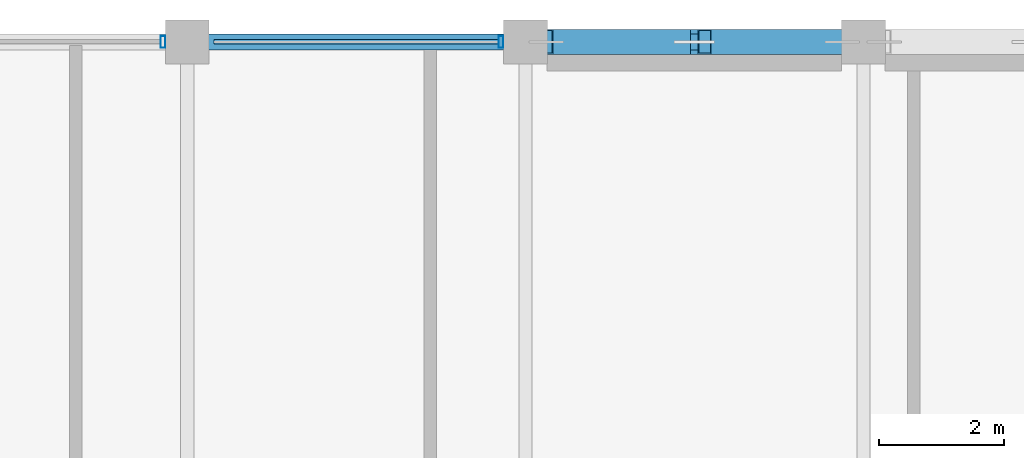
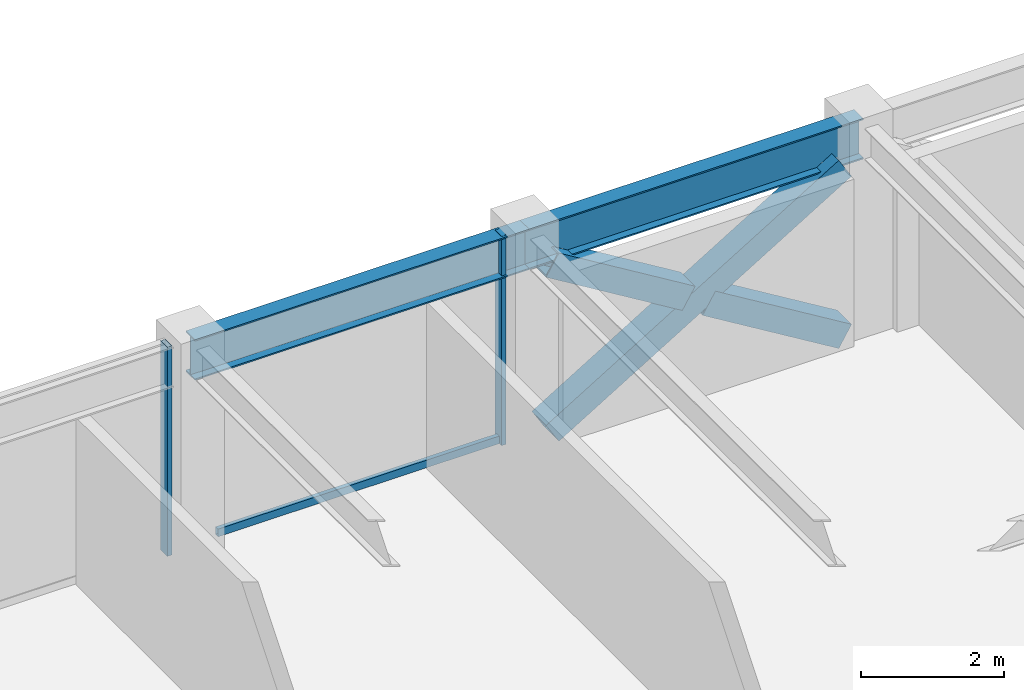
# One storey, part 16 of 31: 6 members, 2 beams, 1 element without a shape of its own.
"""IFC4 building model written with IfcOpenShell, lengths in metres."""

from ifc_helpers import new_model, si_unit, direction, frame, origin, origin_2d, place, context, subcontext, project, spatial, hollow_rectangle, i_section, extrude, material, layer, layer_set, material_profile, profile_set, type_object, element, aggregate, save


model = new_model("IFC4")

# Units and contexts
model_context = context("Model", 3, precision=1e-05, world=origin(), true_north=direction((0.0, 1.0)))
body_context = subcontext(model_context, "Body", "Model", "MODEL_VIEW")
ifc_project = project(units=[si_unit("LENGTHUNIT", "METRE"), si_unit("AREAUNIT", "SQUARE_METRE"), si_unit("VOLUMEUNIT", "CUBIC_METRE"), si_unit("PLANEANGLEUNIT", "RADIAN"), si_unit("MASSUNIT", "GRAM", prefix="KILO")], contexts=[model_context])

# Site, building, storey
site_placement = place(None, origin())
site = spatial("IfcSite", under=ifc_project, at=site_placement, CompositionType="ELEMENT")
building_placement = place(site_placement, origin())
building = spatial("IfcBuilding", under=site, at=building_placement, Name="Surkhivell Harbour Commons", CompositionType="ELEMENT")
storey_placement = place(building_placement, frame((0.0, 0.0, 270.0)))
storey = spatial("IfcBuildingStorey", under=building, at=storey_placement, Name="L70", CompositionType="ELEMENT", Elevation=270.0)

# Beams
ifc_material_1 = material(Name="Steel S355", Category="steel")
ifc_material_profile_1 = material_profile(ifc_material_1, i_section(OverallWidth=0.256103515625, OverallDepth=0.693115234375, WebThickness=0.014404296875, FlangeThickness=0.023681640625, at=origin_2d()), Name="UB686x254x170")
ifc_profile_set_1 = profile_set([ifc_material_profile_1], Name="Steel S355")
beam_type = type_object("IfcBeamType", Name="BM-SPN-686", PredefinedType="SPANDREL", material=ifc_profile_set_1)
beam_1_placement = place(storey_placement, frame((-10.800048828125, 25.89990234375, 3.223388671875), z_axis=(1.0, 0.0, 0.0), x_axis=(0.0, 1.0, 0.0)))
element("IfcBeam", 1, at=beam_1_placement, inside=storey, type_object=beam_type, Name="L70 Tube Spandrel (-10.8,25.9)", PredefinedType="SPANDREL", context=body_context, shape_type="SweptSolid", body=[
    extrude(i_section(OverallWidth=0.256103515625, OverallDepth=0.693115234375, WebThickness=0.014404296875, FlangeThickness=0.023681640625, at=origin_2d()), origin(), (0.0, 0.0, 1.0), 5.400146484375),
])
beam_2_placement = place(storey_placement, frame((-5.39990234375, 25.89990234375, 3.223388671875), z_axis=(1.0, 0.0, 0.0), x_axis=(0.0, 1.0, 0.0)))
element("IfcBeam", 2, at=beam_2_placement, inside=storey, type_object=beam_type, Name="L70 Tube Spandrel (-5.4,25.9)", PredefinedType="SPANDREL", context=body_context, shape_type="SweptSolid", body=[
    extrude(i_section(OverallWidth=0.256103515625, OverallDepth=0.693115234375, WebThickness=0.014404296875, FlangeThickness=0.023681640625, at=origin_2d()), origin(), (0.0, 0.0, 1.0), 5.39990234375),
])

# Curtain wall, members
ifc_material_2 = material(Name="Anodised pale-metal aluminium and insulated glazing", Category="aluminium")
ifc_layer = layer(ifc_material_2, 0.175048828125)
ifc_layer_set = layer_set([ifc_layer], Name="Anodised pale-metal aluminium and insulated glazing")
curtain_wall_type = type_object("IfcCurtainWallType", Name="CW-SYS-Z4", PredefinedType="NOTDEFINED", material=ifc_layer_set)
curtain_wall_placement = place(storey_placement, origin())
curtain_wall = element("IfcCurtainWall", 3, at=curtain_wall_placement, inside=storey, type_object=curtain_wall_type, Name="L70 Curtain Wall CW-L70-E07S2", PredefinedType="NOTDEFINED")
ifc_material_3 = material(Name="Anodised pale-metal aluminium alloy 6063-T6", Category="aluminium")
ifc_material_profile_2 = material_profile(ifc_material_3, hollow_rectangle(XDim=0.074951171875, YDim=0.18994140625, WallThickness=0.00390625, at=origin_2d()), Name="ALU-MULL-75x190")
ifc_profile_set_2 = profile_set([ifc_material_profile_2], Name="Anodised pale-metal aluminium alloy 6063-T6")
member_type_1 = type_object("IfcMemberType", Name="CWM-190", PredefinedType="MULLION", material=ifc_profile_set_2)
member_1_placement = place(storey_placement, frame((-5.78955078125, 25.89990234375, 0.0), z_axis=(0.0, 0.0, 1.0), x_axis=(-1.0, 0.0, 0.0)))
member_1 = element("IfcMember", 4, at=member_1_placement, type_object=member_type_1, Name="CW-Z4 mullion 1", PredefinedType="MULLION", context=body_context, shape_type="SweptSolid", body=[
    extrude(hollow_rectangle(XDim=0.074951171875, YDim=0.18994140625, WallThickness=0.00390625, at=origin_2d()), origin(), (0.0, 0.0, 1.0), 3.570068359375),
])
member_2_placement = place(storey_placement, frame((-11.189453125, 25.89990234375, 0.0), z_axis=(0.0, 0.0, 1.0), x_axis=(-1.0, 0.0, 0.0)))
member_2 = element("IfcMember", 5, at=member_2_placement, type_object=member_type_1, Name="CW-Z4 mullion 2", PredefinedType="MULLION", context=body_context, shape_type="SweptSolid", body=[
    extrude(hollow_rectangle(XDim=0.074951171875, YDim=0.18994140625, WallThickness=0.00390625, at=origin_2d()), origin(), (0.0, 0.0, 1.0), 3.570068359375),
])
ifc_material_4 = material(Name="Champagne anodised aluminium alloy 6063-T6", Category="aluminium")
ifc_material_profile_3 = material_profile(ifc_material_4, hollow_rectangle(XDim=0.070068359375, YDim=0.1298828125, WallThickness=0.00341796875, at=origin_2d()), Name="ALU-TRAN-70x130")
ifc_profile_set_3 = profile_set([ifc_material_profile_3], Name="Champagne anodised aluminium alloy 6063-T6")
member_type_2 = type_object("IfcMemberType", Name="CWT-130", PredefinedType="USERDEFINED", material=ifc_profile_set_3)
member_3_placement = place(storey_placement, frame((-5.826904296875, 25.89990234375, 0.06494140625), z_axis=(-1.0, 0.0, 0.0), x_axis=(0.0, -1.0, 0.0)))
member_3 = element("IfcMember", 6, at=member_3_placement, type_object=member_type_2, Name="CW-Z4 transom 1.1", ObjectType="TRANSOM", PredefinedType="USERDEFINED", context=body_context, shape_type="SweptSolid", body=[
    extrude(hollow_rectangle(XDim=0.070068359375, YDim=0.1298828125, WallThickness=0.00341796875, at=origin_2d()), origin(), (0.0, 0.0, 1.0), 4.546142578125),
])
aggregate(curtain_wall, [member_1, member_3, member_2])

# Members
ifc_material_5 = material(Name="Steel S460", Category="steel")
ifc_material_profile_4 = material_profile(ifc_material_5, hollow_rectangle(XDim=0.39990234375, YDim=0.39990234375, WallThickness=0.02001953125, at=origin_2d()), Name="SHS400x400x20")
ifc_profile_set_4 = profile_set([ifc_material_profile_4], Name="Steel S460")
member_type_3 = type_object("IfcMemberType", Name="MEM-BRC-SHS400", PredefinedType="BRACE", material=ifc_profile_set_4)
member_4_placement = place(storey_placement, frame((-5.06494140625, 25.89990234375, 0.008056640625), z_axis=(0.854685454322, 0.0, 0.519146197299), x_axis=(0.0, 1.0, 0.0)))
element("IfcMember", 7, at=member_4_placement, inside=storey, type_object=member_type_3, Name="L70 Perimeter Mega-Brace MB- 01", PredefinedType="BRACE", context=body_context, shape_type="SweptSolid", body=[
    extrude(hollow_rectangle(XDim=0.39990234375, YDim=0.39990234375, WallThickness=0.02001953125, at=origin_2d()), origin(), (0.0, 0.0, 1.0), 5.5341796875),
])
member_5_placement = place(storey_placement, frame((-0.3349609375, 25.89990234375, 0.008056640625), z_axis=(-0.854719912157, 0.0, 0.519089464122), x_axis=(0.0, -1.0, 0.0)))
element("IfcMember", 8, at=member_5_placement, inside=storey, type_object=member_type_3, Name="L70 Perimeter Mega-Brace MB- 02", PredefinedType="BRACE", context=body_context, shape_type="SweptSolid", body=[
    extrude(hollow_rectangle(XDim=0.39990234375, YDim=0.39990234375, WallThickness=0.02001953125, at=origin_2d()), origin(), (0.0, 0.0, 1.0), 2.574951171875),
])
member_6_placement = place(storey_placement, frame((-2.864013671875, 25.89990234375, 1.544189453125), z_axis=(-0.854677846108, 0.0, 0.519158722716), x_axis=(0.0, -1.0, 0.0)))
element("IfcMember", 9, at=member_6_placement, inside=storey, type_object=member_type_3, Name="L70 Perimeter Mega-Brace MB- 03", PredefinedType="BRACE", context=body_context, shape_type="SweptSolid", body=[
    extrude(hollow_rectangle(XDim=0.39990234375, YDim=0.39990234375, WallThickness=0.02001953125, at=origin_2d()), origin(), (0.0, 0.0, 1.0), 2.5751953125),
])

save(model, "model.ifc")
